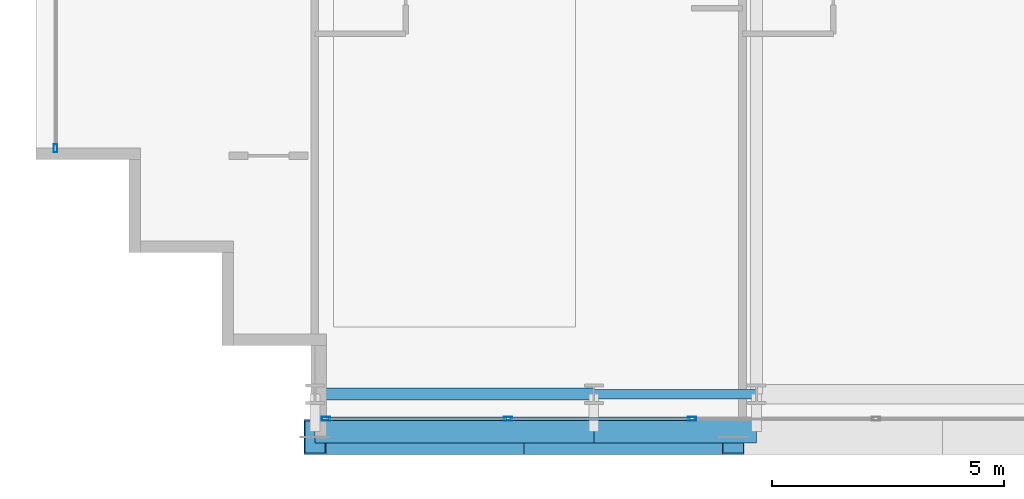
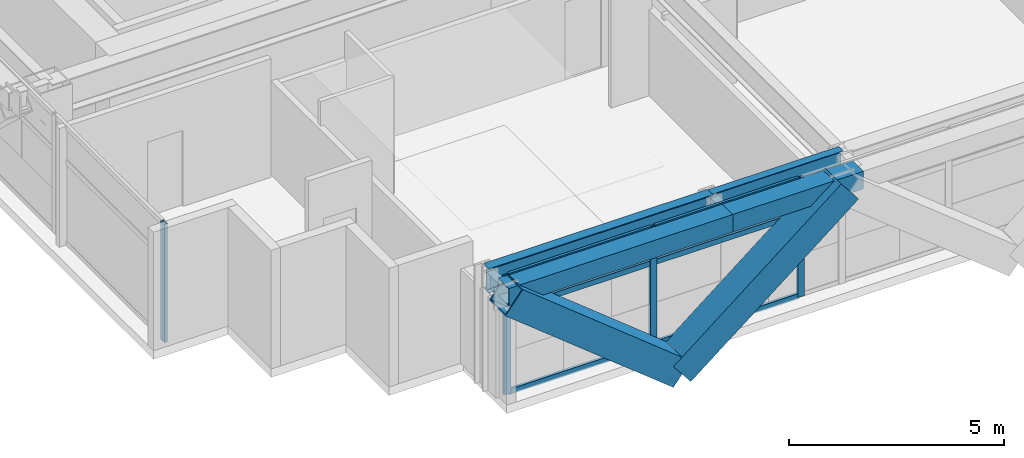
# One storey, part 2 of 34: 12 members, 4 beams, 2 elements without a shape of their own.
"""IFC4 building model written with IfcOpenShell, lengths in metres."""

from ifc_helpers import new_model, si_unit, direction, frame, origin, origin_2d, place, context, subcontext, project, spatial, hollow_rectangle, i_section, extrude, source, transform, mapped, material, layer, layer_set, material_profile, profile_set, type_object, element, aggregate, save


model = new_model("IFC4")

# Units and contexts
model_context = context("Model", 3, precision=1e-05, world=origin(), true_north=direction((0.0, 1.0)))
body_context = subcontext(model_context, "Body", "Model", "MODEL_VIEW")
ifc_project = project(units=[si_unit("LENGTHUNIT", "METRE"), si_unit("AREAUNIT", "SQUARE_METRE"), si_unit("VOLUMEUNIT", "CUBIC_METRE"), si_unit("PLANEANGLEUNIT", "RADIAN"), si_unit("MASSUNIT", "GRAM", prefix="KILO")], contexts=[model_context])

# Site, building, storey
site_placement = place(None, origin())
site = spatial("IfcSite", under=ifc_project, at=site_placement, CompositionType="ELEMENT")
building_placement = place(site_placement, origin())
building = spatial("IfcBuilding", under=site, at=building_placement, Name="Ocotamira Hotel", CompositionType="ELEMENT")
storey_placement = place(building_placement, frame((0.0, 0.0, 108.0)))
storey = spatial("IfcBuildingStorey", under=building, at=storey_placement, Name="L26", CompositionType="ELEMENT", Elevation=108.0)

# Beams
ifc_material_1 = material(Name="Steel ASTM A992 Grade 50", Category="steel")
ifc_material_profile_1 = material_profile(ifc_material_1, i_section(OverallWidth=0.256103515625, OverallDepth=0.693115234375, WebThickness=0.014404296875, FlangeThickness=0.023681640625, FilletRadius=0.01611328125, at=origin_2d()), Name="W27X114")
ifc_profile_set_1 = profile_set([ifc_material_profile_1], Name="Steel ASTM A992 Grade 50")
beam_type_1 = type_object("IfcBeamType", Name="BM-PRIM-W27X114", PredefinedType="BEAM", material=ifc_profile_set_1)
shared_shape_1 = source(origin(), body_context, "Body", "SweptSolid", [
    extrude(i_section(OverallWidth=0.256103515625, OverallDepth=0.693115234375, WebThickness=0.014404296875, FlangeThickness=0.023681640625, FilletRadius=0.01611328125, at=origin_2d()), origin(), (0.0, 0.0, 1.0), 6.0),
])
beam_1_placement = place(storey_placement, frame((14.0, 2.949951171875, 3.013427734375), z_axis=(1.0, 0.0, 0.0), x_axis=(0.0, 1.0, 0.0)))
element("IfcBeam", 1, at=beam_1_placement, inside=storey, type_object=beam_type_1, Name="L26 Girder Y2.95 X14-20", PredefinedType="BEAM", context=body_context, shape_type="MappedRepresentation", body=[
    mapped(shared_shape_1, transform((0.0, 0.0, 0.0), scale=1.0)),
])
ifc_material_profile_2 = material_profile(ifc_material_1, i_section(OverallWidth=0.2099609375, OverallDepth=0.537109375, WebThickness=0.010986328125, FlangeThickness=0.017333984375, FilletRadius=0.012939453125, at=origin_2d()), Name="W21X68")
ifc_profile_set_2 = profile_set([ifc_material_profile_2], Name="Steel ASTM A992 Grade 50")
beam_type_2 = type_object("IfcBeamType", Name="BM-SEC-W21X68", PredefinedType="JOIST", material=ifc_profile_set_2)
shared_shape_2 = source(origin(), body_context, "Body", "SweptSolid", [
    extrude(i_section(OverallWidth=0.2099609375, OverallDepth=0.537109375, WebThickness=0.010986328125, FlangeThickness=0.017333984375, FilletRadius=0.012939453125, at=origin_2d()), origin(), (0.0, 0.0, 1.0), 3.5),
])
beam_2_placement = place(storey_placement, frame((20.0, 2.949951171875, 3.091552734375), z_axis=(1.0, 0.0, 0.0), x_axis=(0.0, 1.0, 0.0)))
element("IfcBeam", 2, at=beam_2_placement, inside=storey, type_object=beam_type_2, Name="L26 Girder Y2.95 X20-23.5", PredefinedType="JOIST", context=body_context, shape_type="MappedRepresentation", body=[
    mapped(shared_shape_2, transform((0.0, 0.0, 0.0), scale=1.0)),
])
ifc_material_2 = material(Name="Steel ASTM A500 Grade C", Category="steel")
ifc_material_profile_3 = material_profile(ifc_material_2, hollow_rectangle(XDim=0.5, YDim=0.5, WallThickness=0.02001953125, at=origin_2d()), Name="HSS500X500X20")
ifc_profile_set_3 = profile_set([ifc_material_profile_3], Name="Steel ASTM A500 Grade C")
beam_type_3 = type_object("IfcBeamType", Name="BM-SPAN-HSS500", PredefinedType="USERDEFINED", material=ifc_profile_set_3)
shared_shape_3 = source(origin(), body_context, "Body", "SweptSolid", [
    extrude(hollow_rectangle(XDim=0.5, YDim=0.5, WallThickness=0.02001953125, at=origin_2d()), origin(), (0.0, 0.0, 1.0), 6.0),
])
beam_3_placement = place(storey_placement, frame((14.0, 2.14990234375, 3.110107421875), z_axis=(1.0, 0.0, 0.0), x_axis=(0.0, 1.0, 0.0)))
element("IfcBeam", 3, at=beam_3_placement, inside=storey, type_object=beam_type_3, Name="L26 Edge Spandrel S X14-20", ObjectType="SPANDREL", PredefinedType="USERDEFINED", context=body_context, shape_type="MappedRepresentation", body=[
    mapped(shared_shape_3, transform((0.0, 0.0, 0.0), scale=1.0)),
])
shared_shape_4 = source(origin(), body_context, "Body", "SweptSolid", [
    extrude(hollow_rectangle(XDim=0.5, YDim=0.5, WallThickness=0.02001953125, at=origin_2d()), origin(), (0.0, 0.0, 1.0), 3.5),
])
beam_4_placement = place(storey_placement, frame((20.0, 2.14990234375, 3.110107421875), z_axis=(1.0, 0.0, 0.0), x_axis=(0.0, 1.0, 0.0)))
element("IfcBeam", 4, at=beam_4_placement, inside=storey, type_object=beam_type_3, Name="L26 Edge Spandrel S X20-23.5", ObjectType="SPANDREL", PredefinedType="USERDEFINED", context=body_context, shape_type="MappedRepresentation", body=[
    mapped(shared_shape_4, transform((0.0, 0.0, 0.0), scale=1.0)),
])

# Members
ifc_material_3 = material(Name="Pale-metal coated steel ASTM A913 Grade 65", Category="steel")
ifc_material_profile_4 = material_profile(ifc_material_3, hollow_rectangle(XDim=0.75, YDim=0.75, WallThickness=0.028076171875, at=origin_2d()), Name="BOX750X750X28")
ifc_profile_set_4 = profile_set([ifc_material_profile_4], Name="Pale-metal coated steel ASTM A913 Grade 65")
member_type_1 = type_object("IfcMemberType", Name="MEM-EXO-BOX750", PredefinedType="BRACE", material=ifc_profile_set_4)
shared_shape_5 = source(origin(), body_context, "Body", "SweptSolid", [
    extrude(hollow_rectangle(XDim=0.75, YDim=0.75, WallThickness=0.028076171875, at=origin_2d()), origin(), (0.0, 0.0, 1.0), 5.762939453125),
])
for number, where, z_axis, x_axis, name in (
    (5, (18.5, 2.030029296875, -0.489990234375), (-0.780860543151, 0.0, 0.624705380279), (0.0, -1.0, 0.0), "L26 Exoskeleton Diagrid S0.1"),
    (6, (18.5, 2.030029296875, -0.489990234375), (0.780860543151, 0.0, 0.624705380279), (0.0, 1.0, 0.0), "L26 Exoskeleton Diagrid S0.2"),
):
    element("IfcMember", number, at=place(storey_placement, frame(where, z_axis=z_axis, x_axis=x_axis)), inside=storey, type_object=member_type_1, Name=name, PredefinedType="BRACE", context=body_context, shape_type="MappedRepresentation", body=[
        mapped(shared_shape_5, transform((0.0, 0.0, 0.0), scale=1.0)),
    ])

# Curtain wall, members
ifc_material_4 = material(Name="Anodised pale-metal aluminium and solar glass", Category="aluminium")
ifc_layer = layer(ifc_material_4, 0.179931640625)
ifc_layer_set = layer_set([ifc_layer], Name="Anodised pale-metal aluminium and solar glass")
curtain_wall_type = type_object("IfcCurtainWallType", Name="CW-SYS3-Z2", PredefinedType="NOTDEFINED", material=ifc_layer_set)
curtain_wall_1_placement = place(storey_placement, origin())
curtain_wall_1 = element("IfcCurtainWall", 7, at=curtain_wall_1_placement, inside=storey, type_object=curtain_wall_type, Name="L26 Curtain Wall CW-3 CW-L26-S1", PredefinedType="NOTDEFINED")
ifc_material_5 = material(Name="Anodised pale-metal aluminium 6063-T6", Category="aluminium")
ifc_material_profile_5 = material_profile(ifc_material_5, hollow_rectangle(XDim=0.074951171875, YDim=0.14990234375, WallThickness=0.006103515625, at=origin_2d()), Name="HSS150X75X6")
ifc_profile_set_5 = profile_set([ifc_material_profile_5], Name="Anodised pale-metal aluminium 6063-T6")
member_type_2 = type_object("IfcMemberType", Name="CWT-150X75", PredefinedType="USERDEFINED", material=ifc_profile_set_5)
shared_shape_6 = source(origin(), body_context, "Body", "SweptSolid", [
    extrude(hollow_rectangle(XDim=0.074951171875, YDim=0.14990234375, WallThickness=0.006103515625, at=origin_2d()), origin(), (0.0, 0.0, 1.0), 3.83544921875),
])
member_1_placement = place(storey_placement, frame((14.280029296875, 2.419921875, 0.03759765625), z_axis=(1.0, 0.0, 0.0), x_axis=(0.0, 1.0, 0.0)))
member_1 = element("IfcMember", 8, at=member_1_placement, type_object=member_type_2, Name="CW-3 transom 1.1", ObjectType="TRANSOM", PredefinedType="USERDEFINED", context=body_context, shape_type="MappedRepresentation", body=[
    mapped(shared_shape_6, transform((0.0, 0.0, 0.0), scale=1.0)),
])
member_2_placement = place(storey_placement, frame((14.280029296875, 2.419921875, 2.35009765625), z_axis=(1.0, 0.0, 0.0), x_axis=(0.0, 1.0, 0.0)))
member_2 = element("IfcMember", 9, at=member_2_placement, type_object=member_type_2, Name="CW-3 transom 1.2", ObjectType="TRANSOM", PredefinedType="USERDEFINED", context=body_context, shape_type="MappedRepresentation", body=[
    mapped(shared_shape_6, transform((0.0, 0.0, 0.0), scale=1.0)),
])
member_3_placement = place(storey_placement, frame((14.280029296875, 2.419921875, 3.322509765625), z_axis=(1.0, 0.0, 0.0), x_axis=(0.0, 1.0, 0.0)))
member_3 = element("IfcMember", 10, at=member_3_placement, type_object=member_type_2, Name="CW-3 transom 1.3", ObjectType="TRANSOM", PredefinedType="USERDEFINED", context=body_context, shape_type="MappedRepresentation", body=[
    mapped(shared_shape_6, transform((0.0, 0.0, 0.0), scale=1.0)),
])
shared_shape_7 = source(origin(), body_context, "Body", "SweptSolid", [
    extrude(hollow_rectangle(XDim=0.074951171875, YDim=0.14990234375, WallThickness=0.006103515625, at=origin_2d()), origin(), (0.0, 0.0, 1.0), 3.87548828125),
])
member_4_placement = place(storey_placement, frame((18.195556640625, 2.419921875, 0.03759765625), z_axis=(1.0, 0.0, 0.0), x_axis=(0.0, 1.0, 0.0)))
member_4 = element("IfcMember", 11, at=member_4_placement, type_object=member_type_2, Name="CW-3 transom 2.1", ObjectType="TRANSOM", PredefinedType="USERDEFINED", context=body_context, shape_type="MappedRepresentation", body=[
    mapped(shared_shape_7, transform((0.0, 0.0, 0.0), scale=1.0)),
])
member_5_placement = place(storey_placement, frame((18.195556640625, 2.419921875, 2.35009765625), z_axis=(1.0, 0.0, 0.0), x_axis=(0.0, 1.0, 0.0)))
member_5 = element("IfcMember", 12, at=member_5_placement, type_object=member_type_2, Name="CW-3 transom 2.2", ObjectType="TRANSOM", PredefinedType="USERDEFINED", context=body_context, shape_type="MappedRepresentation", body=[
    mapped(shared_shape_7, transform((0.0, 0.0, 0.0), scale=1.0)),
])
member_6_placement = place(storey_placement, frame((18.195556640625, 2.419921875, 3.322509765625), z_axis=(1.0, 0.0, 0.0), x_axis=(0.0, 1.0, 0.0)))
member_6 = element("IfcMember", 13, at=member_6_placement, type_object=member_type_2, Name="CW-3 transom 2.3", ObjectType="TRANSOM", PredefinedType="USERDEFINED", context=body_context, shape_type="MappedRepresentation", body=[
    mapped(shared_shape_7, transform((0.0, 0.0, 0.0), scale=1.0)),
])
ifc_material_profile_6 = material_profile(ifc_material_5, hollow_rectangle(XDim=0.080078125, YDim=0.179931640625, WallThickness=0.006103515625, at=origin_2d()), Name="HSS180X80X6")
ifc_profile_set_6 = profile_set([ifc_material_profile_6], Name="Anodised pale-metal aluminium 6063-T6")
member_type_3 = type_object("IfcMemberType", Name="CWM-180X75", PredefinedType="MULLION", material=ifc_profile_set_6)
shared_shape_8 = source(origin(), body_context, "Body", "SweptSolid", [
    extrude(hollow_rectangle(XDim=0.080078125, YDim=0.179931640625, WallThickness=0.006103515625, at=origin_2d()), origin(), (0.0, 0.0, 1.0), 3.360107421875),
])
member_7_placement = place(storey_placement, frame((14.239990234375, 2.419921875, 0.0), z_axis=(0.0, 0.0, 1.0), x_axis=(0.0, 1.0, 0.0)))
member_7 = element("IfcMember", 14, at=member_7_placement, type_object=member_type_3, Name="CW-3 mullion 1", PredefinedType="MULLION", context=body_context, shape_type="MappedRepresentation", body=[
    mapped(shared_shape_8, transform((0.0, 0.0, 0.0), scale=1.0)),
])
member_8_placement = place(storey_placement, frame((18.155517578125, 2.419921875, 0.0), z_axis=(0.0, 0.0, 1.0), x_axis=(0.0, 1.0, 0.0)))
member_8 = element("IfcMember", 15, at=member_8_placement, type_object=member_type_3, Name="CW-3 mullion 2", PredefinedType="MULLION", context=body_context, shape_type="MappedRepresentation", body=[
    mapped(shared_shape_8, transform((0.0, 0.0, 0.0), scale=1.0)),
])
member_9_placement = place(storey_placement, frame((22.111083984375, 2.419921875, 0.0), z_axis=(0.0, 0.0, 1.0), x_axis=(0.0, 1.0, 0.0)))
member_9 = element("IfcMember", 16, at=member_9_placement, type_object=member_type_3, Name="CW-3 mullion 3", PredefinedType="MULLION", context=body_context, shape_type="MappedRepresentation", body=[
    mapped(shared_shape_8, transform((0.0, 0.0, 0.0), scale=1.0)),
])
aggregate(curtain_wall_1, [member_7, member_8, member_9, member_1, member_2, member_3, member_4, member_5, member_6])

# Curtain wall, member
curtain_wall_2_placement = place(storey_placement, origin())
curtain_wall_2 = element("IfcCurtainWall", 17, at=curtain_wall_2_placement, inside=storey, type_object=curtain_wall_type, Name="L26 Curtain Wall CW-3 CW-L26-W", PredefinedType="NOTDEFINED")
member_10_placement = place(storey_placement, frame((8.419921875, 8.239990234375, 0.0), z_axis=(0.0, 0.0, 1.0), x_axis=(-1.0, 0.0, 0.0)))
member_10 = element("IfcMember", 18, at=member_10_placement, type_object=member_type_3, Name="CW-3 mullion 1", PredefinedType="MULLION", context=body_context, shape_type="MappedRepresentation", body=[
    mapped(shared_shape_8, transform((0.0, 0.0, 0.0), scale=1.0)),
])
aggregate(curtain_wall_2, [member_10])

save(model, "model.ifc")
